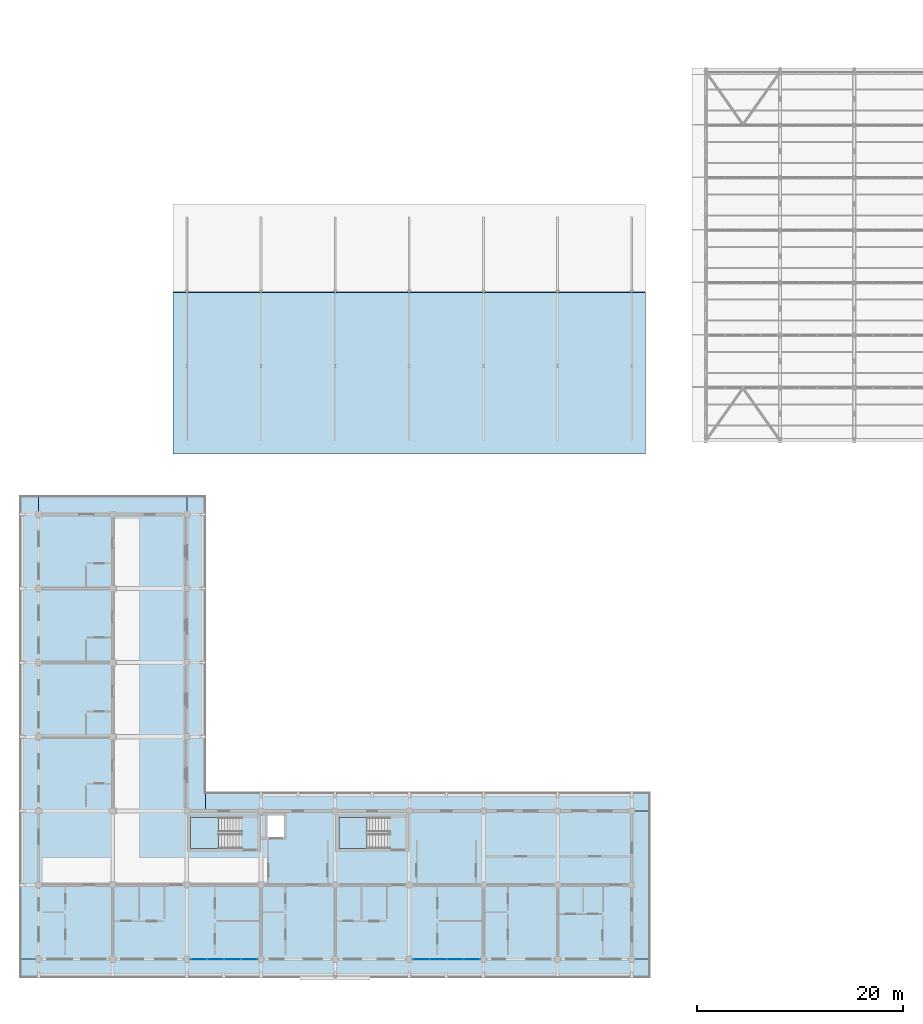
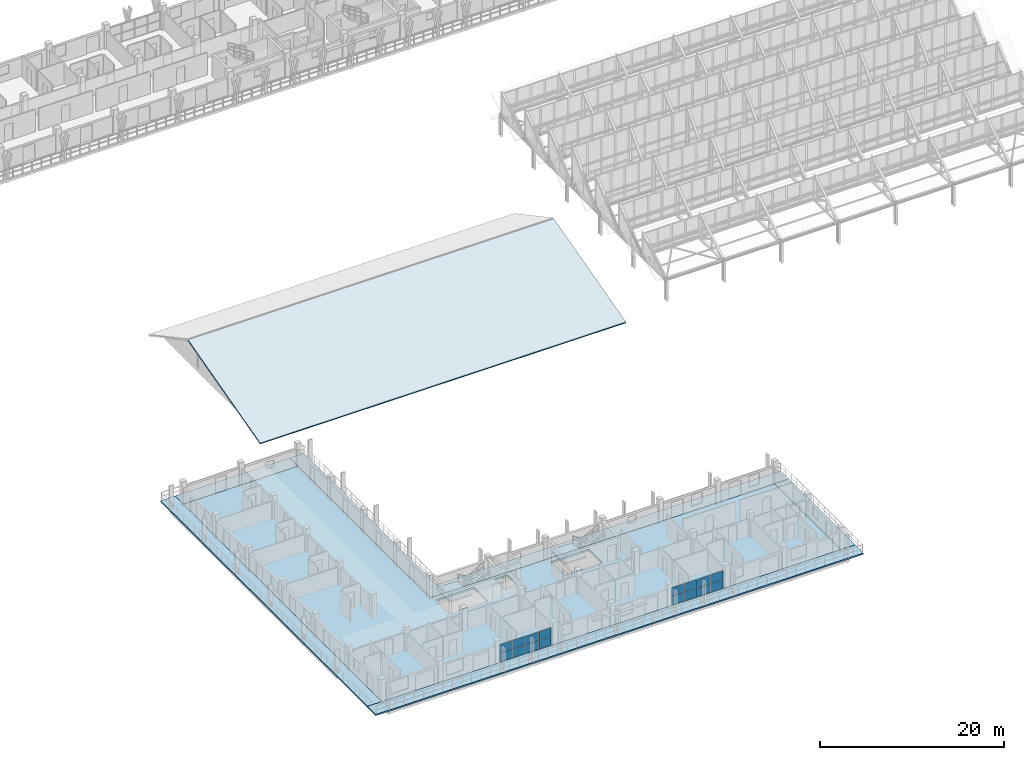
# One storey, part 97 of 157: 16 plates, 10 slabs, 4 elements without a shape of their own.
"""IFC4 building model written with IfcOpenShell, lengths in metres."""

from ifc_helpers import new_model, si_unit, direction, frame, origin, origin_2d, place, context, subcontext, project, spatial, polyline, rectangle, outline, extrude, material, layer, layer_set, type_object, element, aggregate, save


model = new_model("IFC4")

# Units and contexts
model_context = context("Model", 3, precision=1e-05, world=origin(), true_north=direction((0.0, 1.0)))
body_context = subcontext(model_context, "Body", "Model", "MODEL_VIEW")
ifc_project = project(units=[si_unit("LENGTHUNIT", "METRE"), si_unit("AREAUNIT", "SQUARE_METRE"), si_unit("VOLUMEUNIT", "CUBIC_METRE"), si_unit("PLANEANGLEUNIT", "RADIAN"), si_unit("MASSUNIT", "GRAM", prefix="KILO")], contexts=[model_context])

# Site, building, storey
site_placement = place(None, origin())
site = spatial("IfcSite", under=ifc_project, at=site_placement, CompositionType="ELEMENT")
building_placement = place(site_placement, origin())
building = spatial("IfcBuilding", under=site, at=building_placement, Name="Suanplinth Sawtooth Commons", CompositionType="ELEMENT")
storey_placement = place(building_placement, frame((0.0, 0.0, 9.0)))
storey = spatial("IfcBuildingStorey", under=building, at=storey_placement, Name="L02", CompositionType="ELEMENT", Elevation=9.0)

# Curtain wall, plates
ifc_material_1 = material(Name="Anodized aluminium and low-E glazing", Category="aluminium")
curtain_wall_type = type_object("IfcCurtainWallType", Name="CW-06", PredefinedType="USERDEFINED", material=ifc_material_1)
curtain_wall_1_placement = place(storey_placement, origin())
curtain_wall_1 = element("IfcCurtainWall", 1, at=curtain_wall_1_placement, inside=storey, type_object=curtain_wall_type, Name="Curtain Wall CW-L02-D-LOUNGE-2", ObjectType="CURTAIN WALL", PredefinedType="USERDEFINED")
ifc_material_2 = material(Name="Tempered low-E double glazing", Category="glass")
ifc_layer_1 = layer(ifc_material_2, 0.028076171875, Name="Vision low-E insulated glazing unit 28mm")
ifc_layer_set_1 = layer_set([ifc_layer_1], Name="Tempered low-E double glazing")
plate_type = type_object("IfcPlateType", Name="PL-05", PredefinedType="CURTAIN_PANEL", material=ifc_layer_set_1)
plate_1_placement = place(storey_placement, frame((15.541259765625, 0.0, 0.06494140625), z_axis=(0.0, 0.0, 1.0), x_axis=(1.0, 0.0, 0.0)))
plate_1 = element("IfcPlate", 2, at=plate_1_placement, type_object=plate_type, Name="CW-06 panel 1.1", PredefinedType="CURTAIN_PANEL", context=body_context, shape_type="SweptSolid", body=[
    extrude(rectangle(XDim=1.552490234375, YDim=0.028076171875, at=origin_2d()), origin(), (0.0, 0.0, 1.0), 1.12255859375),
])
plate_2_placement = place(storey_placement, frame((15.541259765625, 0.0, 1.25244140625), z_axis=(0.0, 0.0, 1.0), x_axis=(1.0, 0.0, 0.0)))
plate_2 = element("IfcPlate", 3, at=plate_2_placement, type_object=plate_type, Name="CW-06 panel 1.2", PredefinedType="CURTAIN_PANEL", context=body_context, shape_type="SweptSolid", body=[
    extrude(rectangle(XDim=1.552490234375, YDim=0.028076171875, at=origin_2d()), origin(), (0.0, 0.0, 1.0), 1.12255859375),
])
plate_3_placement = place(storey_placement, frame((17.175048828125, 0.0, 0.06494140625), z_axis=(0.0, 0.0, 1.0), x_axis=(1.0, 0.0, 0.0)))
plate_3 = element("IfcPlate", 4, at=plate_3_placement, type_object=plate_type, Name="CW-06 panel 2.1", PredefinedType="CURTAIN_PANEL", context=body_context, shape_type="SweptSolid", body=[
    extrude(rectangle(XDim=1.5849609375, YDim=0.028076171875, at=origin_2d()), origin(), (0.0, 0.0, 1.0), 1.12255859375),
])
plate_4_placement = place(storey_placement, frame((17.175048828125, 0.0, 1.25244140625), z_axis=(0.0, 0.0, 1.0), x_axis=(1.0, 0.0, 0.0)))
plate_4 = element("IfcPlate", 5, at=plate_4_placement, type_object=plate_type, Name="CW-06 panel 2.2", PredefinedType="CURTAIN_PANEL", context=body_context, shape_type="SweptSolid", body=[
    extrude(rectangle(XDim=1.5849609375, YDim=0.028076171875, at=origin_2d()), origin(), (0.0, 0.0, 1.0), 1.12255859375),
])
plate_5_placement = place(storey_placement, frame((18.824951171875, 0.0, 0.06494140625), z_axis=(0.0, 0.0, 1.0), x_axis=(1.0, 0.0, 0.0)))
plate_5 = element("IfcPlate", 6, at=plate_5_placement, type_object=plate_type, Name="CW-06 panel 3.1", PredefinedType="CURTAIN_PANEL", context=body_context, shape_type="SweptSolid", body=[
    extrude(rectangle(XDim=1.5849609375, YDim=0.028076171875, at=origin_2d()), origin(), (0.0, 0.0, 1.0), 1.12255859375),
])
plate_6_placement = place(storey_placement, frame((18.824951171875, 0.0, 1.25244140625), z_axis=(0.0, 0.0, 1.0), x_axis=(1.0, 0.0, 0.0)))
plate_6 = element("IfcPlate", 7, at=plate_6_placement, type_object=plate_type, Name="CW-06 panel 3.2", PredefinedType="CURTAIN_PANEL", context=body_context, shape_type="SweptSolid", body=[
    extrude(rectangle(XDim=1.5849609375, YDim=0.028076171875, at=origin_2d()), origin(), (0.0, 0.0, 1.0), 1.12255859375),
])
plate_7_placement = place(storey_placement, frame((20.458740234375, 0.0, 0.06494140625), z_axis=(0.0, 0.0, 1.0), x_axis=(1.0, 0.0, 0.0)))
plate_7 = element("IfcPlate", 8, at=plate_7_placement, type_object=plate_type, Name="CW-06 panel 4.1", PredefinedType="CURTAIN_PANEL", context=body_context, shape_type="SweptSolid", body=[
    extrude(rectangle(XDim=1.552490234375, YDim=0.028076171875, at=origin_2d()), origin(), (0.0, 0.0, 1.0), 1.12255859375),
])
plate_8_placement = place(storey_placement, frame((20.458740234375, 0.0, 1.25244140625), z_axis=(0.0, 0.0, 1.0), x_axis=(1.0, 0.0, 0.0)))
plate_8 = element("IfcPlate", 9, at=plate_8_placement, type_object=plate_type, Name="CW-06 panel 4.2", PredefinedType="CURTAIN_PANEL", context=body_context, shape_type="SweptSolid", body=[
    extrude(rectangle(XDim=1.552490234375, YDim=0.028076171875, at=origin_2d()), origin(), (0.0, 0.0, 1.0), 1.12255859375),
])
aggregate(curtain_wall_1, [plate_1, plate_2, plate_3, plate_4, plate_5, plate_6, plate_7, plate_8])

curtain_wall_2_placement = place(storey_placement, origin())
curtain_wall_2 = element("IfcCurtainWall", 10, at=curtain_wall_2_placement, inside=storey, type_object=curtain_wall_type, Name="Curtain Wall CW-L02-D-LOUNGE-5", ObjectType="CURTAIN WALL", PredefinedType="USERDEFINED")
plate_9_placement = place(storey_placement, frame((37.141357421875, 0.0, 0.06494140625), z_axis=(0.0, 0.0, 1.0), x_axis=(1.0, 0.0, 0.0)))
plate_9 = element("IfcPlate", 11, at=plate_9_placement, type_object=plate_type, Name="CW-06 panel 1.1", PredefinedType="CURTAIN_PANEL", context=body_context, shape_type="SweptSolid", body=[
    extrude(rectangle(XDim=1.552490234375, YDim=0.028076171875, at=origin_2d()), origin(), (0.0, 0.0, 1.0), 1.12255859375),
])
plate_10_placement = place(storey_placement, frame((37.141357421875, 0.0, 1.25244140625), z_axis=(0.0, 0.0, 1.0), x_axis=(1.0, 0.0, 0.0)))
plate_10 = element("IfcPlate", 12, at=plate_10_placement, type_object=plate_type, Name="CW-06 panel 1.2", PredefinedType="CURTAIN_PANEL", context=body_context, shape_type="SweptSolid", body=[
    extrude(rectangle(XDim=1.552490234375, YDim=0.028076171875, at=origin_2d()), origin(), (0.0, 0.0, 1.0), 1.12255859375),
])
plate_11_placement = place(storey_placement, frame((38.77490234375, 0.0, 0.06494140625), z_axis=(0.0, 0.0, 1.0), x_axis=(1.0, 0.0, 0.0)))
plate_11 = element("IfcPlate", 13, at=plate_11_placement, type_object=plate_type, Name="CW-06 panel 2.1", PredefinedType="CURTAIN_PANEL", context=body_context, shape_type="SweptSolid", body=[
    extrude(rectangle(XDim=1.5849609375, YDim=0.028076171875, at=origin_2d()), origin(), (0.0, 0.0, 1.0), 1.12255859375),
])
plate_12_placement = place(storey_placement, frame((38.77490234375, 0.0, 1.25244140625), z_axis=(0.0, 0.0, 1.0), x_axis=(1.0, 0.0, 0.0)))
plate_12 = element("IfcPlate", 14, at=plate_12_placement, type_object=plate_type, Name="CW-06 panel 2.2", PredefinedType="CURTAIN_PANEL", context=body_context, shape_type="SweptSolid", body=[
    extrude(rectangle(XDim=1.5849609375, YDim=0.028076171875, at=origin_2d()), origin(), (0.0, 0.0, 1.0), 1.12255859375),
])
plate_13_placement = place(storey_placement, frame((40.425048828125, 0.0, 0.06494140625), z_axis=(0.0, 0.0, 1.0), x_axis=(1.0, 0.0, 0.0)))
plate_13 = element("IfcPlate", 15, at=plate_13_placement, type_object=plate_type, Name="CW-06 panel 3.1", PredefinedType="CURTAIN_PANEL", context=body_context, shape_type="SweptSolid", body=[
    extrude(rectangle(XDim=1.5849609375, YDim=0.028076171875, at=origin_2d()), origin(), (0.0, 0.0, 1.0), 1.12255859375),
])
plate_14_placement = place(storey_placement, frame((40.425048828125, 0.0, 1.25244140625), z_axis=(0.0, 0.0, 1.0), x_axis=(1.0, 0.0, 0.0)))
plate_14 = element("IfcPlate", 16, at=plate_14_placement, type_object=plate_type, Name="CW-06 panel 3.2", PredefinedType="CURTAIN_PANEL", context=body_context, shape_type="SweptSolid", body=[
    extrude(rectangle(XDim=1.5849609375, YDim=0.028076171875, at=origin_2d()), origin(), (0.0, 0.0, 1.0), 1.12255859375),
])
plate_15_placement = place(storey_placement, frame((42.058837890625, 0.0, 0.06494140625), z_axis=(0.0, 0.0, 1.0), x_axis=(1.0, 0.0, 0.0)))
plate_15 = element("IfcPlate", 17, at=plate_15_placement, type_object=plate_type, Name="CW-06 panel 4.1", PredefinedType="CURTAIN_PANEL", context=body_context, shape_type="SweptSolid", body=[
    extrude(rectangle(XDim=1.552490234375, YDim=0.028076171875, at=origin_2d()), origin(), (0.0, 0.0, 1.0), 1.12255859375),
])
plate_16_placement = place(storey_placement, frame((42.058837890625, 0.0, 1.25244140625), z_axis=(0.0, 0.0, 1.0), x_axis=(1.0, 0.0, 0.0)))
plate_16 = element("IfcPlate", 18, at=plate_16_placement, type_object=plate_type, Name="CW-06 panel 4.2", PredefinedType="CURTAIN_PANEL", context=body_context, shape_type="SweptSolid", body=[
    extrude(rectangle(XDim=1.552490234375, YDim=0.028076171875, at=origin_2d()), origin(), (0.0, 0.0, 1.0), 1.12255859375),
])
aggregate(curtain_wall_2, [plate_9, plate_10, plate_11, plate_12, plate_13, plate_14, plate_15, plate_16])

# Slabs
ifc_material_3 = material(Name="Precast concrete C40/50", Category="concrete")
ifc_layer_2 = layer(ifc_material_3, 0.179931640625, Name="Wrap-around cantilevered precast balcony slab 180mm")
ifc_layer_set_2 = layer_set([ifc_layer_2], Name="Precast concrete C40/50")
slab_type_1 = type_object("IfcSlabType", Name="S-BL01", PredefinedType="FLOOR", material=ifc_layer_set_2)
slab_1_placement = place(storey_placement, frame((0.0, 0.0, -0.179931640625)))
element("IfcSlab", 19, at=slab_1_placement, inside=storey, type_object=slab_type_1, Name="L02 Block D Wrap-Around Balcony S", PredefinedType="FLOOR", context=body_context, shape_type="SweptSolid", body=[
    extrude(outline(polyline([(59.39990234375, 0.0), (59.39990234375, -1.800048828125), (-1.800048828125, -1.800048828125), (-1.800048828125, 0.0), (59.39990234375, 0.0)])), origin(), (0.0, 0.0, 1.0), 0.179931640625),
])
slab_2_placement = place(storey_placement, frame((0.0, 0.0, -0.179931640625)))
element("IfcSlab", 20, at=slab_2_placement, inside=storey, type_object=slab_type_1, Name="L02 Block D Wrap-Around Balcony W", PredefinedType="FLOOR", context=body_context, shape_type="SweptSolid", body=[
    extrude(outline(polyline([(0.0, 0.0), (-1.800048828125, 0.0), (-1.800048828125, 45.0), (0.0, 45.0), (0.0, 0.0)])), origin(), (0.0, 0.0, 1.0), 0.179931640625),
])
slab_3_placement = place(storey_placement, frame((0.0, 0.0, -0.179931640625)))
element("IfcSlab", 21, at=slab_3_placement, inside=storey, type_object=slab_type_1, Name="L02 Block D Wrap-Around Balcony EEND", PredefinedType="FLOOR", context=body_context, shape_type="SweptSolid", body=[
    extrude(outline(polyline([(59.39990234375, 14.39990234375), (59.39990234375, 0.0), (57.60009765625, 0.0), (57.60009765625, 14.39990234375), (59.39990234375, 14.39990234375)])), origin(), (0.0, 0.0, 1.0), 0.179931640625),
])
slab_4_placement = place(storey_placement, frame((0.0, 0.0, -0.179931640625)))
element("IfcSlab", 22, at=slab_4_placement, inside=storey, type_object=slab_type_1, Name="L02 Block D Wrap-Around Balcony NEND", PredefinedType="FLOOR", context=body_context, shape_type="SweptSolid", body=[
    extrude(outline(polyline([(0.0, 45.0), (14.39990234375, 45.0), (14.39990234375, 43.199951171875), (0.0, 43.199951171875), (0.0, 45.0)])), origin(), (0.0, 0.0, 1.0), 0.179931640625),
])
ifc_layer_3 = layer(ifc_material_3, 0.175048828125, Name="Courtyard cantilevered precast balcony slab 175mm")
ifc_layer_set_3 = layer_set([ifc_layer_3], Name="Precast concrete C40/50")
slab_type_2 = type_object("IfcSlabType", Name="S-BL02", PredefinedType="FLOOR", material=ifc_layer_set_3)
slab_5_placement = place(storey_placement, frame((0.0, 0.0, -0.175048828125)))
element("IfcSlab", 23, at=slab_5_placement, inside=storey, type_object=slab_type_2, Name="L02 Block D Wrap-Around Balcony NC", PredefinedType="FLOOR", context=body_context, shape_type="SweptSolid", body=[
    extrude(outline(polyline([(16.199951171875, 16.199951171875), (59.39990234375, 16.199951171875), (59.39990234375, 14.39990234375), (16.199951171875, 14.39990234375), (16.199951171875, 16.199951171875)])), origin(), (0.0, 0.0, 1.0), 0.175048828125),
])
slab_6_placement = place(storey_placement, frame((0.0, 0.0, -0.175048828125)))
element("IfcSlab", 24, at=slab_6_placement, inside=storey, type_object=slab_type_2, Name="L02 Block D Wrap-Around Balcony EC", PredefinedType="FLOOR", context=body_context, shape_type="SweptSolid", body=[
    extrude(outline(polyline([(14.39990234375, 45.0), (16.199951171875, 45.0), (16.199951171875, 14.39990234375), (14.39990234375, 14.39990234375), (14.39990234375, 45.0)])), origin(), (0.0, 0.0, 1.0), 0.175048828125),
])
ifc_layer_4 = layer(ifc_material_3, 0.25, Name="Precast hollow-core + topping floor slab 250mm")
ifc_layer_set_4 = layer_set([ifc_layer_4], Name="Precast concrete C40/50")
slab_type_3 = type_object("IfcSlabType", Name="S-FL01", PredefinedType="FLOOR", material=ifc_layer_set_4)
slab_7_placement = place(storey_placement, frame((0.0, 0.0, -0.25)))
element("IfcSlab", 25, at=slab_7_placement, inside=storey, type_object=slab_type_3, Name="L02 Block D Structural Floor Plate", PredefinedType="FLOOR", context=body_context, shape_type="SweptSolid", body=[
    extrude(outline(polyline([(0.0, 0.0), (0.0, 43.199951171875), (14.39990234375, 43.199951171875), (14.39990234375, 14.39990234375), (57.60009765625, 14.39990234375), (57.60009765625, 0.0), (0.0, 0.0)]), holes=[polyline([(14.75, 10.75), (19.510009765625, 10.75), (19.510009765625, 13.75), (14.75, 13.75), (14.75, 10.75)]), polyline([(22.25, 11.85009765625), (23.85009765625, 11.85009765625), (23.85009765625, 13.949951171875), (22.25, 13.949951171875), (22.25, 11.85009765625)]), polyline([(29.14990234375, 10.75), (33.909912109375, 10.75), (33.909912109375, 13.75), (29.14990234375, 13.75), (29.14990234375, 10.75)])]), origin(), (0.0, 0.0, 1.0), 0.25),
])

# Stair, slab
ifc_material_4 = material(Name="Concrete C40/50", Category="concrete")
stair_type = type_object("IfcStairType", Name="ST-07", PredefinedType="USERDEFINED", material=ifc_material_4)
stair_1_placement = place(storey_placement, origin())
stair_1 = element("IfcStair", 26, at=stair_1_placement, inside=storey, type_object=stair_type, Name="L02 Exit Stair ST-W1", ObjectType="TWO_RETURN_STAIR", PredefinedType="USERDEFINED")
ifc_layer_5 = layer(ifc_material_4, 0.199951171875, Name="Reinforced concrete stair and ramp landing slab 200mm")
ifc_layer_set_5 = layer_set([ifc_layer_5], Name="Concrete C40/50")
slab_type_4 = type_object("IfcSlabType", Name="S-LD01", PredefinedType="LANDING", material=ifc_layer_set_5)
slab_8_placement = place(storey_placement, frame((0.0, 0.0, 1.39990234375)))
slab_8 = element("IfcSlab", 27, at=slab_8_placement, type_object=slab_type_4, Name="ST-07 landing 1", PredefinedType="LANDING", context=body_context, shape_type="SweptSolid", body=[
    extrude(outline(polyline([(17.469970703125, 13.75), (14.75, 13.75), (14.75, 10.75), (17.469970703125, 10.75), (17.469970703125, 13.75)])), origin(), (0.0, 0.0, 1.0), 0.2001953125),
])
aggregate(stair_1, [slab_8])

stair_2_placement = place(storey_placement, origin())
stair_2 = element("IfcStair", 28, at=stair_2_placement, inside=storey, type_object=stair_type, Name="L02 Exit Stair ST-W2", ObjectType="TWO_RETURN_STAIR", PredefinedType="USERDEFINED")
slab_9_placement = place(storey_placement, frame((0.0, 0.0, 1.39990234375)))
slab_9 = element("IfcSlab", 29, at=slab_9_placement, type_object=slab_type_4, Name="ST-07 landing 1", PredefinedType="LANDING", context=body_context, shape_type="SweptSolid", body=[
    extrude(outline(polyline([(31.8701171875, 13.75), (29.14990234375, 13.75), (29.14990234375, 10.75), (31.8701171875, 10.75), (31.8701171875, 13.75)])), origin(), (0.0, 0.0, 1.0), 0.2001953125),
])
aggregate(stair_2, [slab_9])

# Slab
ifc_material_5 = material(Name="Concrete C35/45", Category="concrete")
ifc_layer_6 = layer(ifc_material_5, 0.159912109375, Name="Market gable & breezeway canopy roof slab 160mm")
ifc_layer_set_6 = layer_set([ifc_layer_6], Name="Concrete C35/45")
slab_type_5 = type_object("IfcSlabType", Name="S-RF03", PredefinedType="ROOF", material=ifc_layer_set_6)
slab_10_placement = place(storey_placement, frame((13.050048828125, 49.050048828125, -0.0400390625), z_axis=(0.0, -0.258580305642, 0.965989764715), x_axis=(1.0, 0.0, 0.0)))
element("IfcSlab", 30, at=slab_10_placement, inside=storey, type_object=slab_type_5, Name="West Market Hall South 15-Deg Overhang Roof Slope", PredefinedType="ROOF", context=body_context, shape_type="SweptSolid", body=[
    extrude(outline(polyline([(0.0, 0.0), (45.89990234375, 0.0), (45.89990234375, 16.242347465120073), (0.0, 16.242347465120073), (0.0, 0.0)])), origin(), (0.0, 0.0, -1.0), 0.159912109375),
])

save(model, "model.ifc")
